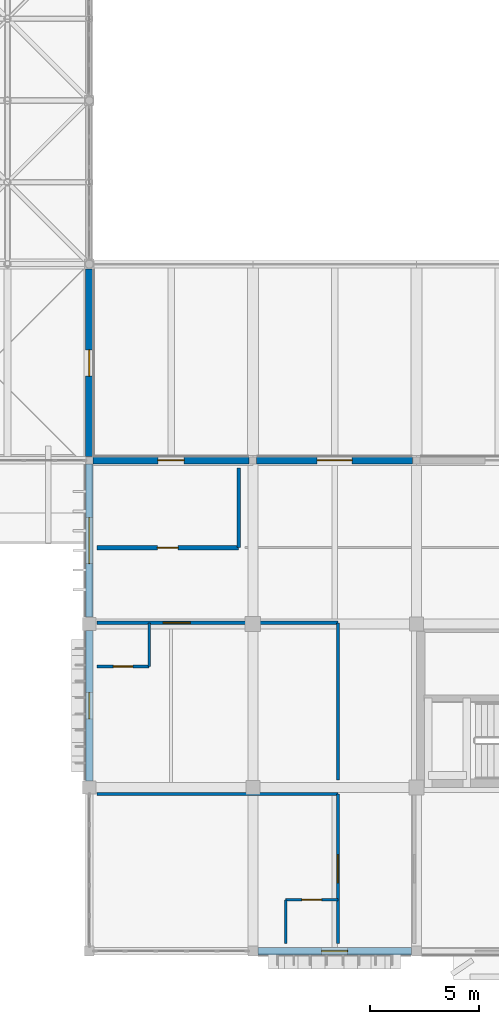
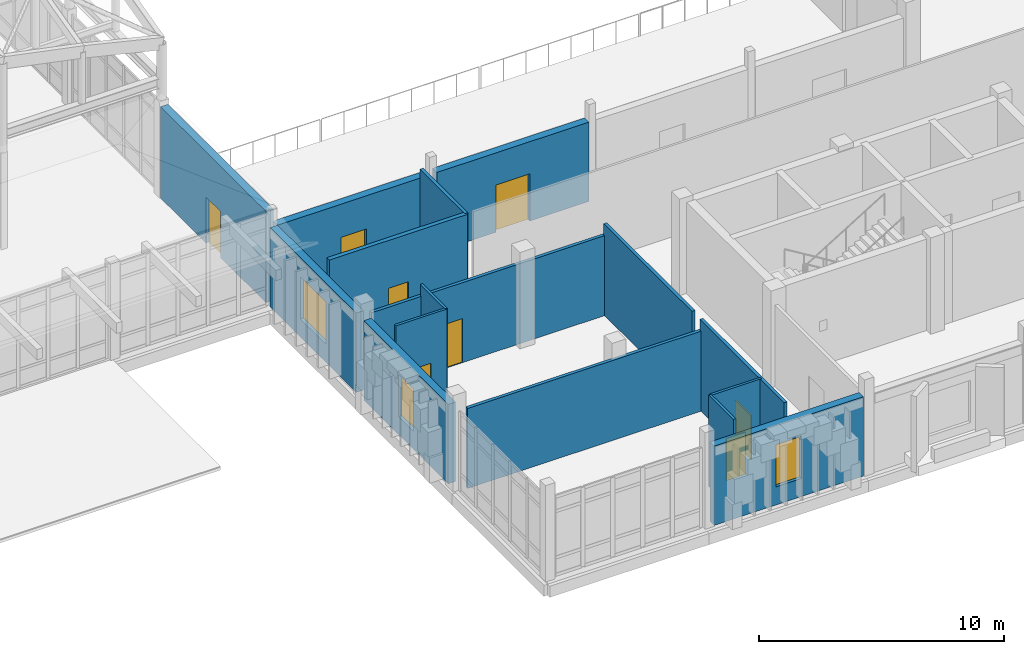
# One storey, part 102 of 131: 16 walls, 8 doors, 3 windows, 11 openings.
"""IFC4 building model written with IfcOpenShell, lengths in metres."""

import ifcopenshell
import ifcopenshell.guid

model = None  # the IFC model being written
_history = None  # IfcOwnerHistory: only IFC2X3 demands one
_inside = {}  # id of a spatial element -> (the spatial element, [elements in it])
_under = {}  # id of a project, library or spatial element -> (it, [spatial elements below it])
_declared = {}  # id of a project -> (the project, [libraries it declares])
_typed = {}  # id of a type object -> (the type object, [elements of that type])
_made_of = {}  # id of a material, layer set ... -> (it, [elements and type objects made of it])


def new_model(schema):
    """Start an empty IFC model of exactly this schema.

    Asked for "IFC4X3", IfcOpenShell would pick the latest addendum, in which some entities
    have other attributes; the version numbers below select the first issue.
    IFC2X3 requires an IfcOwnerHistory on every rooted entity: one is made here for all.
    """
    global model, _history
    if schema == "IFC4X3":
        model = ifcopenshell.file(schema_version=(4, 3, 0, 0))
    else:
        model = ifcopenshell.file(schema=schema)
    _inside.clear()
    _under.clear()
    _declared.clear()
    _typed.clear()
    _made_of.clear()
    _history = None
    if model.schema == "IFC2X3":
        org = make("IfcOrganization", Name="unknown")
        user = make(
            "IfcPersonAndOrganization",
            ThePerson=make("IfcPerson", FamilyName="unknown"),
            TheOrganization=org,
        )
        app = make(
            "IfcApplication",
            ApplicationDeveloper=org,
            Version="unknown",
            ApplicationFullName="unknown",
            ApplicationIdentifier="unknown",
        )
        _history = make(
            "IfcOwnerHistory",
            OwningUser=user,
            OwningApplication=app,
            ChangeAction="ADDED",
            CreationDate=0,
        )
    return model


def make(cls, **values):
    """One entity of the class cls with the attributes given. An attribute that is None is left unset."""
    return model.create_entity(
        cls, **{name: value for name, value in values.items() if value is not None}
    )


def rooted(cls, **values):
    """An entity with a GlobalId (a new one), such as an element, a storey or a relation."""
    return make(cls, GlobalId=ifcopenshell.guid.new(), OwnerHistory=_history, **values)


def si_unit(unit_type, name, prefix=None):
    """IfcSIUnit, for example si_unit("LENGTHUNIT", "METRE", prefix="MILLI")."""
    return make("IfcSIUnit", UnitType=unit_type, Prefix=prefix, Name=name)


def assignment(units):
    """IfcUnitAssignment: the units of a project."""
    return None if units is None else make("IfcUnitAssignment", Units=units)


def point(xyz):
    """IfcCartesianPoint."""
    return None if xyz is None else make("IfcCartesianPoint", Coordinates=xyz)


def direction(xyz):
    """IfcDirection."""
    return None if xyz is None else make("IfcDirection", DirectionRatios=xyz)


def frame(location, z_axis=None, x_axis=None):
    """IfcAxis2Placement3D, a coordinate frame: its origin and axes. An axis left out is left unset."""
    return make(
        "IfcAxis2Placement3D",
        Location=point(location),
        Axis=direction(z_axis),
        RefDirection=direction(x_axis),
    )


def frame_2d(location, x_axis=None):
    """IfcAxis2Placement2D, a coordinate frame in the plane: its origin and x axis."""
    return make(
        "IfcAxis2Placement2D", Location=point(location), RefDirection=direction(x_axis)
    )


def origin():
    """The frame at (0, 0, 0) with its axes left unset."""
    return frame((0.0, 0.0, 0.0))


def place(relative_to, where):
    """IfcLocalPlacement: puts the frame where relative to a parent placement (None: the world)."""
    return make(
        "IfcLocalPlacement", PlacementRelTo=relative_to, RelativePlacement=where
    )


def context(
    kind, dimensions, precision=None, world=None, true_north=None, identifier=None
):
    """IfcGeometricRepresentationContext, for example the 3D "Model" context."""
    return make(
        "IfcGeometricRepresentationContext",
        ContextIdentifier=identifier,
        ContextType=kind,
        CoordinateSpaceDimension=dimensions,
        Precision=precision,
        WorldCoordinateSystem=world,
        TrueNorth=true_north,
    )


def subcontext(parent, identifier, kind, view, scale=None):
    """IfcGeometricRepresentationSubContext, for example "Body" below "Model"."""
    return make(
        "IfcGeometricRepresentationSubContext",
        ContextIdentifier=identifier,
        ContextType=kind,
        ParentContext=parent,
        TargetScale=scale,
        TargetView=view,
    )


def project(units=None, contexts=None):
    """IfcProject with its units and contexts."""
    return rooted(
        "IfcProject",
        Name="project",
        RepresentationContexts=contexts,
        UnitsInContext=assignment(units),
    )


def spatial(cls, under=None, at=None, **own):
    """A site, building, storey or space (cls), placed at a placement, below another one or the project."""
    s = rooted(cls, ObjectPlacement=at, **own)
    if under is not None:
        _under.setdefault(under.id(), (under, []))[1].append(s)
    return s


def profile(cls, at=None, kind="AREA", **sizes):
    """A parametric profile (cls). Its sizes go by their IFC names, for example OverallWidth=200.0."""
    return make(cls, ProfileType=kind, Position=at, **sizes)


def rectangle(**sizes):
    """IfcRectangleProfileDef."""
    return profile("IfcRectangleProfileDef", **sizes)


def extrude(swept, where, along, depth):
    """IfcExtrudedAreaSolid: the profile swept, set in the frame where, extruded along a direction by depth."""
    return make(
        "IfcExtrudedAreaSolid",
        SweptArea=swept,
        Position=where,
        ExtrudedDirection=direction(along),
        Depth=depth,
    )


def shape(context_of_items, identifier, shape_type, items):
    """IfcShapeRepresentation: the items that make up one representation, for example the "Body"."""
    return make(
        "IfcShapeRepresentation",
        ContextOfItems=context_of_items,
        RepresentationIdentifier=identifier,
        RepresentationType=shape_type,
        Items=items,
    )


def material(Name=None, Category=None):
    """IfcMaterial."""
    return make("IfcMaterial", Name=Name, Category=Category)


def layer(
    of_material, thickness, ventilated=None, Name=None, Category=None, Priority=None
):
    """IfcMaterialLayer: one layer of a wall or slab, of a material (None: an air gap)."""
    return make(
        "IfcMaterialLayer",
        Material=of_material,
        LayerThickness=thickness,
        IsVentilated=ventilated,
        Name=Name,
        Category=Category,
        Priority=Priority,
    )


def layer_set(layers, Name=None):
    """IfcMaterialLayerSet."""
    return make("IfcMaterialLayerSet", MaterialLayers=layers, LayerSetName=Name)


def made_of(thing, what):
    """Note that an element or type object is made of a material, layer set ...; save() writes the relation."""
    if what is not None:
        _made_of.setdefault(what.id(), (what, []))[1].append(thing)
    return thing


def type_object(cls, material=None, **own):
    """A type object (cls), such as IfcWallType, which elements share."""
    return made_of(rooted(cls, **own), material)


def element(
    cls,
    number,
    at=None,
    inside=None,
    cuts=None,
    type_object=None,
    material=None,
    context=None,
    identifier="Body",
    shape_type=None,
    held_by="IfcProductDefinitionShape",
    body=None,
    shapes=None,
    **own,
):
    """One element of the class cls, such as IfcWall. Its Tag is "e" and its number.

    at: its placement. inside: the storey or other place that contains it. cuts: it is an
    opening in that element (IfcRelVoidsElement). A single representation is given by context,
    identifier, shape_type and body (its items); several are given by shapes. held_by: the class
    of the entity that holds the representations. save() writes the other relations.
    """
    e = rooted(cls, Tag="e%d" % number, ObjectPlacement=at, **own)
    if body is not None:
        shapes = [shape(context, identifier, shape_type, body)]
    if shapes is not None:
        e.Representation = make(held_by, Representations=shapes)
    if inside is not None:
        _inside.setdefault(inside.id(), (inside, []))[1].append(e)
    if cuts is not None:
        rooted(
            "IfcRelVoidsElement", RelatingBuildingElement=cuts, RelatedOpeningElement=e
        )
    if type_object is not None:
        _typed.setdefault(type_object.id(), (type_object, []))[1].append(e)
    return made_of(e, material)


def fill(opening, filler):
    """IfcRelFillsElement: the door or window that sits in an opening."""
    return rooted(
        "IfcRelFillsElement",
        RelatingOpeningElement=opening,
        RelatedBuildingElement=filler,
    )


def aggregate(whole, parts):
    """IfcRelAggregates: a whole, such as a stair, and the parts it consists of."""
    return rooted("IfcRelAggregates", RelatingObject=whole, RelatedObjects=parts)


def save(model, path):
    """Write the relations noted so far, then the file.

    IfcRelAggregates (storeys below a building ...), IfcRelContainedInSpatialStructure (elements
    in a storey), IfcRelDefinesByType, IfcRelAssociatesMaterial and IfcRelDeclares: one each for
    every whole, place, type object, material and project.
    """
    for whole, parts in _under.values():
        aggregate(whole, parts)
    for where, things in _inside.values():
        rooted(
            "IfcRelContainedInSpatialStructure",
            RelatedElements=things,
            RelatingStructure=where,
        )
    for kind, things in _typed.values():
        rooted("IfcRelDefinesByType", RelatedObjects=things, RelatingType=kind)
    for what, things in _made_of.values():
        rooted("IfcRelAssociatesMaterial", RelatedObjects=things, RelatingMaterial=what)
    for by, libraries in _declared.values():
        rooted("IfcRelDeclares", RelatingContext=by, RelatedDefinitions=libraries)
    model.write(path)


model = new_model("IFC4")

# Units and contexts
model_context = context("Model", 3, precision=1e-05, world=origin(), true_north=direction((0.0, 1.0)))
body_context = subcontext(model_context, "Body", "Model", "MODEL_VIEW")
ifc_project = project(units=[si_unit("LENGTHUNIT", "METRE"), si_unit("AREAUNIT", "SQUARE_METRE"), si_unit("VOLUMEUNIT", "CUBIC_METRE"), si_unit("PLANEANGLEUNIT", "RADIAN"), si_unit("MASSUNIT", "GRAM", prefix="KILO")], contexts=[model_context])

# Site, building, storey
site_placement = place(None, origin())
site = spatial("IfcSite", under=ifc_project, at=site_placement, CompositionType="ELEMENT")
building_placement = place(site_placement, origin())
building = spatial("IfcBuilding", under=site, at=building_placement, Name="Dalvernix Boulevard General Hospital", CompositionType="ELEMENT")
storey_placement = place(building_placement, frame((0.0, 0.0, 9.300048828125)))
storey = spatial("IfcBuildingStorey", under=building, at=storey_placement, Name="L02", CompositionType="ELEMENT", Elevation=9.300048828125)

# Wall, opening, door
ifc_material_1 = material(Name="Pressed Catalan clay brick and insulated concrete cavity wall C35/45", Category="masonry")
ifc_layer_1 = layer(ifc_material_1, 0.35009765625)
ifc_layer_set_1 = layer_set([ifc_layer_1], Name="Pressed Catalan clay brick and insulated concrete cavity wall C35/45 (WAL-EW-01)")
wall_type_1 = type_object("IfcWallType", Name="WAL-EW-01", PredefinedType="STANDARD", material=ifc_layer_set_1)
wall_1_placement = place(storey_placement, frame((112.5, 31.264892578125, 0.0), z_axis=(0.0, 0.0, 1.0), x_axis=(0.0, -1.0, 0.0)))
wall_1 = element("IfcWall", 1, at=wall_1_placement, inside=storey, type_object=wall_type_1, Name="L02 Catalan brick external wall E 15-3", PredefinedType="STANDARD", context=body_context, shape_type="SweptSolid", body=[
    extrude(rectangle(XDim=8.594970703125, YDim=0.35009765625, at=frame_2d((4.29736328125, 0.0))), origin(), (0.0, 0.0, 1.0), 4.550048828125),
])
opening_1_placement = place(wall_1_placement, frame((3.697509765625, 0.0, 0.0)))
opening_1 = element("IfcOpeningElement", 2, at=opening_1_placement, cuts=wall_1, Name="Opening TD-12", PredefinedType="OPENING", context=body_context, shape_type="SweptSolid", body=[
    extrude(rectangle(XDim=1.199951171875, YDim=2.300048828125, at=frame_2d((0.60009765625, 1.14990234375))), frame((0.0, 0.18505859375, 0.0), z_axis=(0.0, -1.0, 0.0), x_axis=(1.0, 0.0, 0.0)), (0.0, 0.0, 1.0), 0.3701171875),
])
ifc_material_2 = material(Name="Powder-coated aluminium and laminated safety glass", Category="aluminium")
door_type_1 = type_object("IfcDoorType", Name="DR-TD-12", OperationType="NOTDEFINED", PredefinedType="DOOR", material=ifc_material_2)
door_1_placement = place(opening_1_placement, origin())
door_1 = element("IfcDoor", 3, at=door_1_placement, inside=storey, type_object=door_type_1, Name="L02 ward terrace access door E 15-3", OperationType="SINGLE_SWING_RIGHT", OverallHeight=2.300048828125, OverallWidth=1.199951171875, PredefinedType="DOOR", context=body_context, shape_type="SweptSolid", body=[
    extrude(rectangle(XDim=1.199951171875, YDim=2.300048828125, at=frame_2d((0.60009765625, 1.14990234375))), frame((0.0, 0.02490234375, 0.0), z_axis=(0.0, -1.0, 0.0), x_axis=(1.0, 0.0, 0.0)), (0.0, 0.0, 1.0), 0.050048828125),
])
fill(opening_1, door_1)

# Wall, opening, window
wall_2_placement = place(storey_placement, frame((112.5, 7.81005859375, 0.0), z_axis=(0.0, 0.0, 1.0), x_axis=(0.0, 1.0, 0.0)))
wall_2 = element("IfcWall", 4, at=wall_2_placement, inside=storey, type_object=wall_type_1, Name="L02 Catalan brick external wall W 15-1", PredefinedType="STANDARD", context=body_context, shape_type="SweptSolid", body=[
    extrude(rectangle(XDim=6.8798828125, YDim=0.35009765625, at=frame_2d((3.43994140625, 0.0))), origin(), (0.0, 0.0, 1.0), 3.949951171875),
])
opening_2_placement = place(wall_2_placement, frame((2.840087890625, 0.0, 0.89990234375)))
opening_2 = element("IfcOpeningElement", 5, at=opening_2_placement, cuts=wall_2, Name="Opening WN-07", PredefinedType="OPENING", context=body_context, shape_type="SweptSolid", body=[
    extrude(rectangle(XDim=1.199951171875, YDim=2.10009765625, at=frame_2d((0.60009765625, 1.050048828125))), frame((0.0, 0.18505859375, 0.0), z_axis=(0.0, -1.0, 0.0), x_axis=(1.0, 0.0, 0.0)), (0.0, 0.0, 1.0), 0.3701171875),
])
ifc_material_3 = material(Name="Thermally broken aluminium frame with solar-control double glazing", Category="aluminium")
window_type_1 = type_object("IfcWindowType", Name="WIN-WN-07", PartitioningType="SINGLE_PANEL", PredefinedType="WINDOW", material=ifc_material_3)
window_1_placement = place(opening_2_placement, origin())
window_1 = element("IfcWindow", 6, at=window_1_placement, inside=storey, type_object=window_type_1, Name="L02 clinical window WN-07 W 15-1", OverallHeight=2.10009765625, OverallWidth=1.199951171875, PartitioningType="SINGLE_PANEL", PredefinedType="WINDOW", context=body_context, shape_type="SweptSolid", body=[
    extrude(rectangle(XDim=1.199951171875, YDim=2.10009765625, at=frame_2d((0.60009765625, 1.050048828125))), frame((0.0, 0.030029296875, 0.0), z_axis=(0.0, -1.0, 0.0), x_axis=(1.0, 0.0, 0.0)), (0.0, 0.0, 1.0), 0.06005859375),
])
fill(opening_2, window_1)

# Wall, opening, door
wall_3_placement = place(storey_placement, frame((112.669921875, 22.5, 0.0), z_axis=(0.0, 0.0, 1.0), x_axis=(1.0, 0.0, 0.0)))
wall_3 = element("IfcWall", 7, at=wall_3_placement, inside=storey, type_object=wall_type_1, Name="L02 Catalan brick external wall N 15-3", PredefinedType="STANDARD", context=body_context, shape_type="SweptSolid", body=[
    extrude(rectangle(XDim=7.16015625, YDim=0.35009765625, at=frame_2d((3.580078125, 0.0))), origin(), (0.0, 0.0, 1.0), 3.949951171875),
])
opening_3_placement = place(wall_3_placement, frame((2.97998046875, 0.0, 0.0)))
opening_3 = element("IfcOpeningElement", 8, at=opening_3_placement, cuts=wall_3, Name="Opening TD-12", PredefinedType="OPENING", context=body_context, shape_type="SweptSolid", body=[
    extrude(rectangle(XDim=1.199951171875, YDim=2.300048828125, at=frame_2d((0.60009765625, 1.14990234375))), frame((0.0, 0.18505859375, 0.0), z_axis=(0.0, -1.0, 0.0), x_axis=(1.0, 0.0, 0.0)), (0.0, 0.0, 1.0), 0.3701171875),
])
door_2_placement = place(opening_3_placement, origin())
door_2 = element("IfcDoor", 9, at=door_2_placement, inside=storey, type_object=door_type_1, Name="L02 ward terrace access door N 15-3", OperationType="SINGLE_SWING_RIGHT", OverallHeight=2.300048828125, OverallWidth=1.199951171875, PredefinedType="DOOR", context=body_context, shape_type="SweptSolid", body=[
    extrude(rectangle(XDim=1.199951171875, YDim=2.300048828125, at=frame_2d((0.60009765625, 1.14990234375))), frame((0.0, 0.02490234375, 0.0), z_axis=(0.0, -1.0, 0.0), x_axis=(1.0, 0.0, 0.0)), (0.0, 0.0, 1.0), 0.050048828125),
])
fill(opening_3, door_2)

# Wall, opening, window
wall_4_placement = place(storey_placement, frame((112.5, 15.31005859375, 0.0), z_axis=(0.0, 0.0, 1.0), x_axis=(0.0, 1.0, 0.0)))
wall_4 = element("IfcWall", 10, at=wall_4_placement, inside=storey, type_object=wall_type_1, Name="L02 Catalan brick external wall W 15-2", PredefinedType="STANDARD", context=body_context, shape_type="SweptSolid", body=[
    extrude(rectangle(XDim=7.02001953125, YDim=0.35009765625, at=frame_2d((3.510009765625, 0.0))), origin(), (0.0, 0.0, 1.0), 3.949951171875),
])
opening_4_placement = place(wall_4_placement, frame((2.4599609375, 0.0, 0.89990234375)))
opening_4 = element("IfcOpeningElement", 11, at=opening_4_placement, cuts=wall_4, Name="Opening WN-08", PredefinedType="OPENING", context=body_context, shape_type="SweptSolid", body=[
    extrude(rectangle(XDim=2.10009765625, YDim=2.10009765625, at=frame_2d((1.050048828125, 1.050048828125))), frame((0.0, 0.18505859375, 0.0), z_axis=(0.0, -1.0, 0.0), x_axis=(1.0, 0.0, 0.0)), (0.0, 0.0, 1.0), 0.3701171875),
])
window_type_2 = type_object("IfcWindowType", Name="WIN-WN-08", PartitioningType="SINGLE_PANEL", PredefinedType="WINDOW", material=ifc_material_3)
window_2_placement = place(opening_4_placement, origin())
window_2 = element("IfcWindow", 12, at=window_2_placement, inside=storey, type_object=window_type_2, Name="L02 clinical window WN-08 W 15-2", OverallHeight=2.10009765625, OverallWidth=2.10009765625, PartitioningType="SINGLE_PANEL", PredefinedType="WINDOW", context=body_context, shape_type="SweptSolid", body=[
    extrude(rectangle(XDim=2.10009765625, YDim=2.10009765625, at=frame_2d((1.050048828125, 1.050048828125))), frame((0.0, 0.030029296875, 0.0), z_axis=(0.0, -1.0, 0.0), x_axis=(1.0, 0.0, 0.0)), (0.0, 0.0, 1.0), 0.06005859375),
])
fill(opening_4, window_2)

wall_5_placement = place(storey_placement, frame((127.264892578125, 0.0, 0.0), z_axis=(0.0, 0.0, 1.0), x_axis=(-1.0, 0.0, 0.0)))
wall_5 = element("IfcWall", 13, at=wall_5_placement, inside=storey, type_object=wall_type_1, Name="L02 Catalan brick external wall S 16-0", PredefinedType="STANDARD", context=body_context, shape_type="SweptSolid", body=[
    extrude(rectangle(XDim=7.02978515625, YDim=0.35009765625, at=frame_2d((3.514892578125, 0.0))), origin(), (0.0, 0.0, 1.0), 3.949951171875),
])
opening_5_placement = place(wall_5_placement, frame((2.9150390625, 0.0, 0.89990234375)))
opening_5 = element("IfcOpeningElement", 14, at=opening_5_placement, cuts=wall_5, Name="Opening WN-07", PredefinedType="OPENING", context=body_context, shape_type="SweptSolid", body=[
    extrude(rectangle(XDim=1.199951171875, YDim=2.10009765625, at=frame_2d((0.60009765625, 1.050048828125))), frame((0.0, 0.18505859375, 0.0), z_axis=(0.0, -1.0, 0.0), x_axis=(1.0, 0.0, 0.0)), (0.0, 0.0, 1.0), 0.3701171875),
])
window_3_placement = place(opening_5_placement, origin())
window_3 = element("IfcWindow", 15, at=window_3_placement, inside=storey, type_object=window_type_1, Name="L02 clinical window WN-07 S 16-0", OverallHeight=2.10009765625, OverallWidth=1.199951171875, PartitioningType="SINGLE_PANEL", PredefinedType="WINDOW", context=body_context, shape_type="SweptSolid", body=[
    extrude(rectangle(XDim=1.199951171875, YDim=2.10009765625, at=frame_2d((0.60009765625, 1.050048828125))), frame((0.0, 0.030029296875, 0.0), z_axis=(0.0, -1.0, 0.0), x_axis=(1.0, 0.0, 0.0)), (0.0, 0.0, 1.0), 0.06005859375),
])
fill(opening_5, window_3)

# Wall, opening, door
wall_6_placement = place(storey_placement, frame((120.169921875, 22.5, 0.0), z_axis=(0.0, 0.0, 1.0), x_axis=(1.0, 0.0, 0.0)))
wall_6 = element("IfcWall", 16, at=wall_6_placement, inside=storey, type_object=wall_type_1, Name="L02 Catalan brick external wall N 16-3", PredefinedType="STANDARD", context=body_context, shape_type="SweptSolid", body=[
    extrude(rectangle(XDim=7.16015625, YDim=0.35009765625, at=frame_2d((3.580078125, 0.0))), origin(), (0.0, 0.0, 1.0), 3.949951171875),
])
opening_6_placement = place(wall_6_placement, frame((2.780029296875, 0.0, 0.0)))
opening_6 = element("IfcOpeningElement", 17, at=opening_6_placement, cuts=wall_6, Name="Opening TD-16", PredefinedType="OPENING", context=body_context, shape_type="SweptSolid", body=[
    extrude(rectangle(XDim=1.60009765625, YDim=2.35009765625, at=frame_2d((0.800048828125, 1.175048828125))), frame((0.0, 0.18505859375, 0.0), z_axis=(0.0, -1.0, 0.0), x_axis=(1.0, 0.0, 0.0)), (0.0, 0.0, 1.0), 0.3701171875),
])
door_type_2 = type_object("IfcDoorType", Name="DR-TD-16", OperationType="DOUBLE_DOOR_SINGLE_SWING", PredefinedType="DOOR", material=ifc_material_2)
door_3_placement = place(opening_6_placement, origin())
door_3 = element("IfcDoor", 18, at=door_3_placement, inside=storey, type_object=door_type_2, Name="L02 ward terrace access door N 16-3", OperationType="DOUBLE_DOOR_SINGLE_SWING", OverallHeight=2.35009765625, OverallWidth=1.60009765625, PredefinedType="DOOR", context=body_context, shape_type="SweptSolid", body=[
    extrude(rectangle(XDim=1.60009765625, YDim=2.35009765625, at=frame_2d((0.800048828125, 1.175048828125))), frame((0.0, 0.02490234375, 0.0), z_axis=(0.0, -1.0, 0.0), x_axis=(1.0, 0.0, 0.0)), (0.0, 0.0, 1.0), 0.050048828125),
])
fill(opening_6, door_3)

ifc_material_4 = material(Name="Fire-compartment corridor masonry wall", Category="masonry")
ifc_layer_2 = layer(ifc_material_4, 0.199951171875)
ifc_layer_set_2 = layer_set([ifc_layer_2], Name="Fire-compartment corridor masonry wall (WAL-IW-02)")
wall_type_2 = type_object("IfcWallType", Name="WAL-IW-02", PredefinedType="STANDARD", material=ifc_layer_set_2)
wall_7_placement = place(storey_placement, frame((112.85009765625, 18.5, 0.0), z_axis=(0.0, 0.0, 1.0), x_axis=(1.0, 0.0, 0.0)))
wall_7 = element("IfcWall", 19, at=wall_7_placement, inside=storey, type_object=wall_type_2, Name="L02 Accessible WC L02 South-East corridor wall", PredefinedType="STANDARD", context=body_context, shape_type="SweptSolid", body=[
    extrude(rectangle(XDim=6.5, YDim=0.199951171875, at=frame_2d((3.25, 0.0))), origin(), (0.0, 0.0, 1.0), 4.534912109375),
])
opening_7_placement = place(wall_7_placement, frame((2.77490234375, 0.0, 0.0)))
opening_7 = element("IfcOpeningElement", 20, at=opening_7_placement, cuts=wall_7, Name="Opening ID-06", PredefinedType="OPENING", context=body_context, shape_type="SweptSolid", body=[
    extrude(rectangle(XDim=0.949951171875, YDim=2.14990234375, at=frame_2d((0.47509765625, 1.074951171875))), frame((0.0, 0.10986328125, 0.0), z_axis=(0.0, -1.0, 0.0), x_axis=(1.0, 0.0, 0.0)), (0.0, 0.0, 1.0), 0.219970703125),
])
ifc_material_5 = material(Name="Hospital laminate acoustic timber and steel frame", Category="steel")
door_type_3 = type_object("IfcDoorType", Name="DR-ID-06", OperationType="NOTDEFINED", PredefinedType="DOOR", material=ifc_material_5)
door_4_placement = place(opening_7_placement, origin())
door_4 = element("IfcDoor", 21, at=door_4_placement, inside=storey, type_object=door_type_3, Name="L02 Accessible WC L02 South-East door", OperationType="SINGLE_SWING_RIGHT", OverallHeight=2.14990234375, OverallWidth=0.949951171875, PredefinedType="DOOR", context=body_context, shape_type="SweptSolid", body=[
    extrude(rectangle(XDim=0.949951171875, YDim=2.14990234375, at=frame_2d((0.47509765625, 1.074951171875))), frame((0.0, 0.02490234375, 0.0), z_axis=(0.0, -1.0, 0.0), x_axis=(1.0, 0.0, 0.0)), (0.0, 0.0, 1.0), 0.050048828125),
])
fill(opening_7, door_4)

ifc_material_6 = material(Name="Acoustic double-stud gypsum inpatient partition")
ifc_layer_3 = layer(ifc_material_6, 0.14990234375)
ifc_layer_set_3 = layer_set([ifc_layer_3], Name="Acoustic double-stud gypsum inpatient partition (WAL-IW-04)")
wall_type_3 = type_object("IfcWallType", Name="WAL-IW-04", PredefinedType="PARTITIONING", material=ifc_layer_set_3)
wall_8_placement = place(storey_placement, frame((123.89990234375, 0.35009765625, 0.0), z_axis=(0.0, 0.0, 1.0), x_axis=(0.0, 1.0, 0.0)))
wall_8 = element("IfcWall", 22, at=wall_8_placement, inside=storey, type_object=wall_type_3, Name="L02 Maternity Delivery Suite L02-01 corridor wall", PredefinedType="PARTITIONING", context=body_context, shape_type="SweptSolid", body=[
    extrude(rectangle(XDim=6.849853515625, YDim=0.14990234375, at=frame_2d((3.4248046875, 0.0))), origin(), (0.0, 0.0, 1.0), 4.534912109375),
])
opening_8_placement = place(wall_8_placement, frame((2.77490234375, 0.0, 0.0)))
opening_8 = element("IfcOpeningElement", 23, at=opening_8_placement, cuts=wall_8, Name="Opening ID-03", PredefinedType="OPENING", context=body_context, shape_type="SweptSolid", body=[
    extrude(rectangle(XDim=1.300048828125, YDim=2.199951171875, at=frame_2d((0.64990234375, 1.10009765625))), frame((0.0, 0.0849609375, 0.0), z_axis=(0.0, -1.0, 0.0), x_axis=(1.0, 0.0, 0.0)), (0.0, 0.0, 1.0), 0.169921875),
])
door_type_4 = type_object("IfcDoorType", Name="DR-ID-03", OperationType="NOTDEFINED", PredefinedType="DOOR", material=ifc_material_5)
door_5_placement = place(opening_8_placement, origin())
door_5 = element("IfcDoor", 24, at=door_5_placement, inside=storey, type_object=door_type_4, Name="L02 Maternity Delivery Suite L02-01 door", OperationType="SINGLE_SWING_RIGHT", OverallHeight=2.199951171875, OverallWidth=1.300048828125, PredefinedType="DOOR", context=body_context, shape_type="SweptSolid", body=[
    extrude(rectangle(XDim=1.300048828125, YDim=2.199951171875, at=frame_2d((0.64990234375, 1.10009765625))), frame((0.0, 0.02490234375, 0.0), z_axis=(0.0, -1.0, 0.0), x_axis=(1.0, 0.0, 0.0)), (0.0, 0.0, 1.0), 0.050048828125),
])
fill(opening_8, door_5)

wall_9_placement = place(storey_placement, frame((123.89990234375, 15.050048828125, 0.0), z_axis=(0.0, 0.0, 1.0), x_axis=(-1.0, 0.0, 0.0)))
wall_9 = element("IfcWall", 25, at=wall_9_placement, inside=storey, type_object=wall_type_3, Name="L02 Paediatric Patient Room L02-01 corridor wall", PredefinedType="PARTITIONING", context=body_context, shape_type="SweptSolid", body=[
    extrude(rectangle(XDim=11.0498046875, YDim=0.14990234375, at=frame_2d((5.52490234375, 0.0))), origin(), (0.0, 0.0, 1.0), 3.98486328125),
])
opening_9_placement = place(wall_9_placement, frame((6.760009765625, 0.0, 0.0)))
opening_9 = element("IfcOpeningElement", 26, at=opening_9_placement, cuts=wall_9, Name="Opening ID-04", PredefinedType="OPENING", context=body_context, shape_type="SweptSolid", body=[
    extrude(rectangle(XDim=1.25, YDim=2.199951171875, at=frame_2d((0.625, 1.10009765625))), frame((0.0, 0.0849609375, 0.0), z_axis=(0.0, -1.0, 0.0), x_axis=(1.0, 0.0, 0.0)), (0.0, 0.0, 1.0), 0.169921875),
])
door_type_5 = type_object("IfcDoorType", Name="DR-ID-04", OperationType="NOTDEFINED", PredefinedType="DOOR", material=ifc_material_5)
door_6_placement = place(opening_9_placement, origin())
door_6 = element("IfcDoor", 27, at=door_6_placement, inside=storey, type_object=door_type_5, Name="L02 Paediatric Patient Room L02-01 door", OperationType="SINGLE_SWING_RIGHT", OverallHeight=2.199951171875, OverallWidth=1.25, PredefinedType="DOOR", context=body_context, shape_type="SweptSolid", body=[
    extrude(rectangle(XDim=1.25, YDim=2.199951171875, at=frame_2d((0.625, 1.10009765625))), frame((0.0, 0.02490234375, 0.0), z_axis=(0.0, -1.0, 0.0), x_axis=(1.0, 0.0, 0.0)), (0.0, 0.0, 1.0), 0.050048828125),
])
fill(opening_9, door_6)

# Walls
wall_10_placement = place(storey_placement, frame((112.85009765625, 7.199951171875, 0.0), z_axis=(0.0, 0.0, 1.0), x_axis=(1.0, 0.0, 0.0)))
element("IfcWall", 28, at=wall_10_placement, inside=storey, type_object=wall_type_3, Name="L02 Maternity Delivery Suite L02-01 partition", PredefinedType="PARTITIONING", context=body_context, shape_type="SweptSolid", body=[
    extrude(rectangle(XDim=11.0498046875, YDim=0.14990234375, at=frame_2d((5.52490234375, 0.0))), origin(), (0.0, 0.0, 1.0), 3.98486328125),
])
wall_11_placement = place(storey_placement, frame((123.89990234375, 7.85009765625, 0.0), z_axis=(0.0, 0.0, 1.0), x_axis=(0.0, 1.0, 0.0)))
element("IfcWall", 29, at=wall_11_placement, inside=storey, type_object=wall_type_3, Name="L02 Paediatric Patient Room L02-01 partition", PredefinedType="PARTITIONING", context=body_context, shape_type="SweptSolid", body=[
    extrude(rectangle(XDim=7.199951171875, YDim=0.14990234375, at=frame_2d((3.60009765625, 0.0))), origin(), (0.0, 0.0, 1.0), 4.534912109375),
])
wall_12_placement = place(storey_placement, frame((119.35009765625, 18.5, 0.0), z_axis=(0.0, 0.0, 1.0), x_axis=(0.0, 1.0, 0.0)))
element("IfcWall", 30, at=wall_12_placement, inside=storey, type_object=wall_type_3, Name="L02 Accessible WC L02 South-East partition", PredefinedType="PARTITIONING", context=body_context, shape_type="SweptSolid", body=[
    extrude(rectangle(XDim=3.64990234375, YDim=0.14990234375, at=frame_2d((1.824951171875, 0.0))), origin(), (0.0, 0.0, 1.0), 4.534912109375),
])

# Wall, opening, door
ifc_material_7 = material(Name="Moisture-resistant en-suite bathroom partition")
ifc_layer_4 = layer(ifc_material_7, 0.1201171875)
ifc_layer_set_4 = layer_set([ifc_layer_4], Name="Moisture-resistant en-suite bathroom partition (WAL-IW-05)")
wall_type_4 = type_object("IfcWallType", Name="WAL-IW-05", PredefinedType="PARTITIONING", material=ifc_layer_set_4)
wall_13_placement = place(storey_placement, frame((123.89990234375, 2.35009765625, 0.0), z_axis=(0.0, 0.0, 1.0), x_axis=(-1.0, 0.0, 0.0)))
wall_13 = element("IfcWall", 31, at=wall_13_placement, inside=storey, type_object=wall_type_4, Name="L02 en-suite bathroom door wall", PredefinedType="PARTITIONING", context=body_context, shape_type="SweptSolid", body=[
    extrude(rectangle(XDim=2.39990234375, YDim=0.1201171875, at=frame_2d((1.199951171875, 0.0))), origin(), (0.0, 0.0, 1.0), 4.534912109375),
])
opening_10_placement = place(wall_13_placement, frame((0.75, 0.0, 0.0)))
opening_10 = element("IfcOpeningElement", 32, at=opening_10_placement, cuts=wall_13, Name="Opening ID-05", PredefinedType="OPENING", context=body_context, shape_type="SweptSolid", body=[
    extrude(rectangle(XDim=0.89990234375, YDim=2.10009765625, at=frame_2d((0.449951171875, 1.050048828125))), frame((0.0, 0.070068359375, 0.0), z_axis=(0.0, -1.0, 0.0), x_axis=(1.0, 0.0, 0.0)), (0.0, 0.0, 1.0), 0.14013671875),
])
door_type_6 = type_object("IfcDoorType", Name="DR-ID-05", OperationType="NOTDEFINED", PredefinedType="DOOR", material=ifc_material_5)
door_7_placement = place(opening_10_placement, origin())
door_7 = element("IfcDoor", 33, at=door_7_placement, inside=storey, type_object=door_type_6, Name="L02 L02-MAT-S1 en-suite bathroom door", OperationType="SINGLE_SWING_LEFT", OverallHeight=2.10009765625, OverallWidth=0.89990234375, PredefinedType="DOOR", context=body_context, shape_type="SweptSolid", body=[
    extrude(rectangle(XDim=0.89990234375, YDim=2.10009765625, at=frame_2d((0.449951171875, 1.050048828125))), frame((0.0, 0.02490234375, 0.0), z_axis=(0.0, -1.0, 0.0), x_axis=(1.0, 0.0, 0.0)), (0.0, 0.0, 1.0), 0.050048828125),
])
fill(opening_10, door_7)

# Wall
wall_14_placement = place(storey_placement, frame((121.5, 0.35009765625, 0.0), z_axis=(0.0, 0.0, 1.0), x_axis=(0.0, 1.0, 0.0)))
element("IfcWall", 34, at=wall_14_placement, inside=storey, type_object=wall_type_4, Name="L02 en-suite bathroom side wall", PredefinedType="PARTITIONING", context=body_context, shape_type="SweptSolid", body=[
    extrude(rectangle(XDim=2.0, YDim=0.1201171875, at=frame_2d((1.0, 0.0))), origin(), (0.0, 0.0, 1.0), 4.534912109375),
])

# Wall, opening, door
wall_15_placement = place(storey_placement, frame((112.85009765625, 13.050048828125, 0.0), z_axis=(0.0, 0.0, 1.0), x_axis=(1.0, 0.0, 0.0)))
wall_15 = element("IfcWall", 35, at=wall_15_placement, inside=storey, type_object=wall_type_4, Name="L02 en-suite bathroom door wall", PredefinedType="PARTITIONING", context=body_context, shape_type="SweptSolid", body=[
    extrude(rectangle(XDim=2.39990234375, YDim=0.1201171875, at=frame_2d((1.199951171875, 0.0))), origin(), (0.0, 0.0, 1.0), 4.534912109375),
])
opening_11_placement = place(wall_15_placement, frame((0.75, 0.0, 0.0)))
opening_11 = element("IfcOpeningElement", 36, at=opening_11_placement, cuts=wall_15, Name="Opening ID-05", PredefinedType="OPENING", context=body_context, shape_type="SweptSolid", body=[
    extrude(rectangle(XDim=0.89990234375, YDim=2.10009765625, at=frame_2d((0.449951171875, 1.050048828125))), frame((0.0, 0.070068359375, 0.0), z_axis=(0.0, -1.0, 0.0), x_axis=(1.0, 0.0, 0.0)), (0.0, 0.0, 1.0), 0.14013671875),
])
door_8_placement = place(opening_11_placement, origin())
door_8 = element("IfcDoor", 37, at=door_8_placement, inside=storey, type_object=door_type_6, Name="L02 L02-V5-W1 en-suite bathroom door", OperationType="SINGLE_SWING_LEFT", OverallHeight=2.10009765625, OverallWidth=0.89990234375, PredefinedType="DOOR", context=body_context, shape_type="SweptSolid", body=[
    extrude(rectangle(XDim=0.89990234375, YDim=2.10009765625, at=frame_2d((0.449951171875, 1.050048828125))), frame((0.0, 0.02490234375, 0.0), z_axis=(0.0, -1.0, 0.0), x_axis=(1.0, 0.0, 0.0)), (0.0, 0.0, 1.0), 0.050048828125),
])
fill(opening_11, door_8)

# Wall
wall_16_placement = place(storey_placement, frame((115.25, 13.050048828125, 0.0), z_axis=(0.0, 0.0, 1.0), x_axis=(0.0, 1.0, 0.0)))
element("IfcWall", 38, at=wall_16_placement, inside=storey, type_object=wall_type_4, Name="L02 en-suite bathroom side wall", PredefinedType="PARTITIONING", context=body_context, shape_type="SweptSolid", body=[
    extrude(rectangle(XDim=2.0, YDim=0.1201171875, at=frame_2d((1.0, 0.0))), origin(), (0.0, 0.0, 1.0), 4.534912109375),
])

save(model, "model.ifc")
